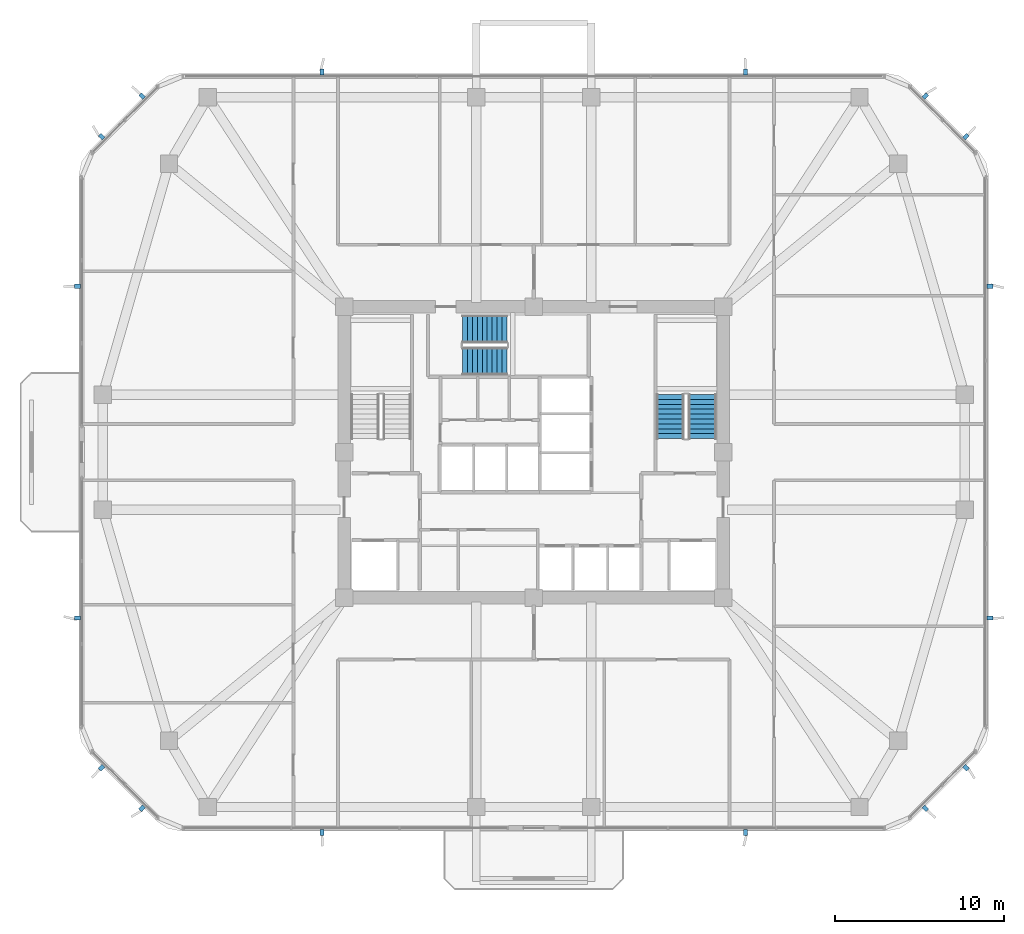
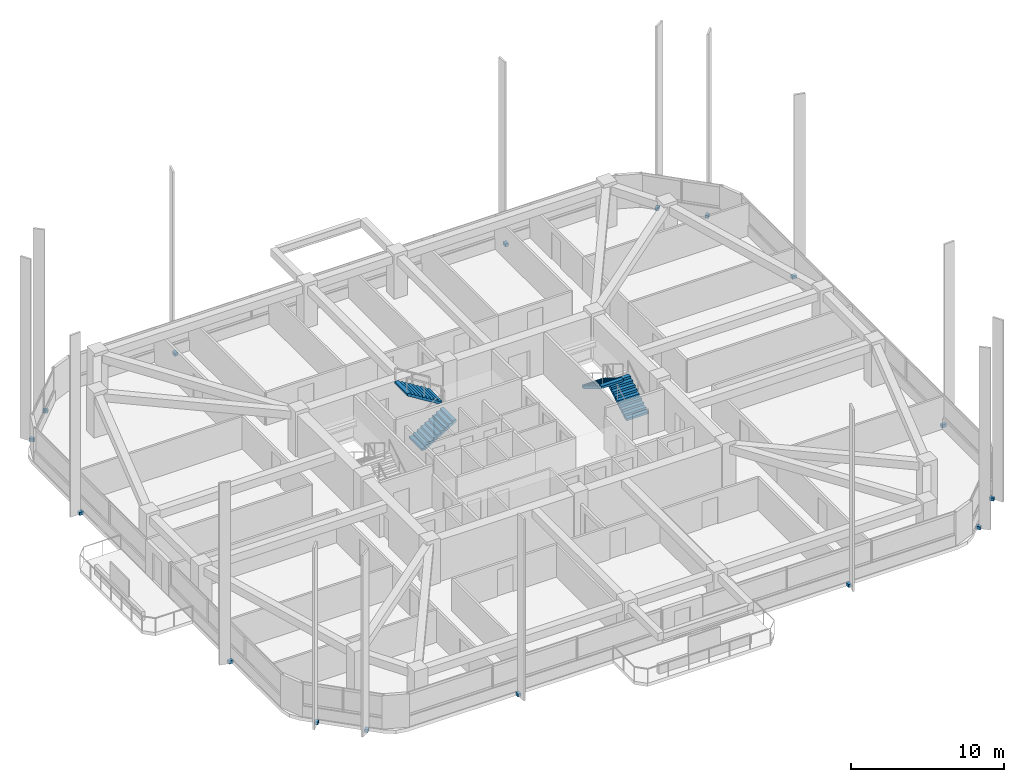
# One storey, part 11 of 15: 16 discrete accessories, 4 stair flights, 2 elements without a shape of their own.
"""IFC4 building model written with IfcOpenShell, lengths in metres."""

from ifc_helpers import new_model, si_unit, derived_unit, direction, frame, origin, origin_2d, place, context, subcontext, project, spatial, polyline, rectangle, outline, extrude, material, type_object, element, aggregate, save


model = new_model("IFC4")

# Units and contexts
model_context = context("Model", 3, precision=1e-05, world=origin(), true_north=direction((0.0, 1.0)))
body_context = subcontext(model_context, "Body", "Model", "MODEL_VIEW")
ifc_project = project(units=[si_unit("LENGTHUNIT", "METRE"), si_unit("AREAUNIT", "SQUARE_METRE"), si_unit("VOLUMEUNIT", "CUBIC_METRE"), si_unit("PLANEANGLEUNIT", "RADIAN"), si_unit("MASSUNIT", "GRAM", prefix="KILO"), derived_unit("THERMALTRANSMITTANCEUNIT", [(si_unit("POWERUNIT", "WATT"), 1), (si_unit("LENGTHUNIT", "METRE"), -2), (si_unit("THERMODYNAMICTEMPERATUREUNIT", "KELVIN"), -1)])], contexts=[model_context])

# Site, building, storey
site_placement = place(None, origin())
site = spatial("IfcSite", under=ifc_project, at=site_placement, CompositionType="ELEMENT")
building_placement = place(site_placement, origin())
building = spatial("IfcBuilding", under=site, at=building_placement, Name="Koralith Skygarden Medical Center", CompositionType="ELEMENT")
storey_placement = place(building_placement, frame((0.0, 0.0, 84.780029296875)))
storey = spatial("IfcBuildingStorey", under=building, at=storey_placement, Name="L21", CompositionType="ELEMENT", Elevation=84.780029296875)

# Stair, stair flights
ifc_material_1 = material(Name="Concrete C45/55", Category="concrete")
stair_type = type_object("IfcStairType", Name="Core Exit Dogleg Concrete Stair", PredefinedType="HALF_TURN_STAIR", material=ifc_material_1)
stair_1_placement = place(storey_placement, origin())
stair_1 = element("IfcStair", 1, at=stair_1_placement, inside=storey, type_object=stair_type, Name="L21 Smokeproof Exit Stair ST2", PredefinedType="HALF_TURN_STAIR")
stair_flight_type = type_object("IfcStairFlightType", Name="Core Exit Concrete Stair Flight 1650", PredefinedType="STRAIGHT", material=ifc_material_1)
stair_flight_1_placement = place(storey_placement, frame((46.97509765625, 26.699951171875, 0.0), z_axis=(0.0, 0.0, 1.0), x_axis=(0.0, 1.0, 0.0)))
stair_flight_1 = element("IfcStairFlight", 2, at=stair_flight_1_placement, type_object=stair_flight_type, Name="ST2 flight 1", NumberOfRisers=10, NumberOfTreads=9, PredefinedType="STRAIGHT", RiserHeight=0.18, TreadLength=0.29, context=body_context, shape_type="SweptSolid", body=[
    extrude(outline(polyline([(0.0, 0.0), (0.0, 0.179931640625), (0.2900390625, 0.179931640625), (0.2900390625, 0.360107421875), (0.580078125, 0.360107421875), (0.580078125, 0.5400390625), (0.8701171875, 0.5400390625), (0.8701171875, 0.719970703125), (1.159912109375, 0.719970703125), (1.159912109375, 0.89990234375), (1.449951171875, 0.89990234375), (1.449951171875, 1.080078125), (1.739990234375, 1.080078125), (1.739990234375, 1.260009765625), (2.030029296875, 1.260009765625), (2.030029296875, 1.43994140625), (2.320068359375, 1.43994140625), (2.320068359375, 1.6201171875), (2.610107421875, 1.6201171875), (2.610107421875, 1.800048828125), (2.610107421875, 1.443603515625), (0.2841796875, 0.0), (0.0, 0.0)])), frame((0.0, 0.824951171875, 0.0), z_axis=(0.0, -1.0, 0.0), x_axis=(1.0, 0.0, 0.0)), (0.0, 0.0, 1.0), 1.64990234375),
])
stair_flight_2_placement = place(storey_placement, frame((45.074951171875, 29.31005859375, 1.800048828125), z_axis=(0.0, 0.0, 1.0), x_axis=(0.0, -1.0, 0.0)))
stair_flight_2 = element("IfcStairFlight", 3, at=stair_flight_2_placement, type_object=stair_flight_type, Name="ST2 flight 2", NumberOfRisers=10, NumberOfTreads=9, PredefinedType="STRAIGHT", RiserHeight=0.18, TreadLength=0.29, context=body_context, shape_type="SweptSolid", body=[
    extrude(outline(polyline([(0.0, 0.0), (0.0, 0.179931640625), (0.2900390625, 0.179931640625), (0.2900390625, 0.360107421875), (0.580078125, 0.360107421875), (0.580078125, 0.5400390625), (0.8701171875, 0.5400390625), (0.8701171875, 0.719970703125), (1.159912109375, 0.719970703125), (1.159912109375, 0.89990234375), (1.449951171875, 0.89990234375), (1.449951171875, 1.080078125), (1.739990234375, 1.080078125), (1.739990234375, 1.260009765625), (2.030029296875, 1.260009765625), (2.030029296875, 1.43994140625), (2.320068359375, 1.43994140625), (2.320068359375, 1.6201171875), (2.610107421875, 1.6201171875), (2.610107421875, 1.800048828125), (2.610107421875, 1.443603515625), (0.2841796875, 0.0), (0.0, 0.0)])), frame((0.0, 0.824951171875, 0.0), z_axis=(0.0, -1.0, 0.0), x_axis=(1.0, 0.0, 0.0)), (0.0, 0.0, 1.0), 1.64990234375),
])
aggregate(stair_1, [stair_flight_1, stair_flight_2])

stair_2_placement = place(storey_placement, origin())
stair_2 = element("IfcStair", 4, at=stair_2_placement, inside=storey, type_object=stair_type, Name="L21 Smokeproof Exit Stair ST3", PredefinedType="HALF_TURN_STAIR")
stair_flight_3_placement = place(storey_placement, frame((32.800048828125, 31.27490234375, 0.0), z_axis=(0.0, 0.0, 1.0), x_axis=(1.0, 0.0, 0.0)))
stair_flight_3 = element("IfcStairFlight", 5, at=stair_flight_3_placement, type_object=stair_flight_type, Name="ST3 flight 1", NumberOfRisers=10, NumberOfTreads=9, PredefinedType="STRAIGHT", RiserHeight=0.18, TreadLength=0.29, context=body_context, shape_type="SweptSolid", body=[
    extrude(outline(polyline([(0.0, 0.0), (0.0, 0.179931640625), (0.2900390625, 0.179931640625), (0.2900390625, 0.360107421875), (0.580078125, 0.360107421875), (0.580078125, 0.5400390625), (0.8701171875, 0.5400390625), (0.8701171875, 0.719970703125), (1.159912109375, 0.719970703125), (1.159912109375, 0.89990234375), (1.449951171875, 0.89990234375), (1.449951171875, 1.080078125), (1.739990234375, 1.080078125), (1.739990234375, 1.260009765625), (2.030029296875, 1.260009765625), (2.030029296875, 1.43994140625), (2.320068359375, 1.43994140625), (2.320068359375, 1.6201171875), (2.610107421875, 1.6201171875), (2.610107421875, 1.800048828125), (2.610107421875, 1.443603515625), (0.2841796875, 0.0), (0.0, 0.0)])), frame((0.0, 0.824951171875, 0.0), z_axis=(0.0, -1.0, 0.0), x_axis=(1.0, 0.0, 0.0)), (0.0, 0.0, 1.0), 1.64990234375),
])
stair_flight_4_placement = place(storey_placement, frame((35.409912109375, 33.175048828125, 1.800048828125), z_axis=(0.0, 0.0, 1.0), x_axis=(-1.0, 0.0, 0.0)))
stair_flight_4 = element("IfcStairFlight", 6, at=stair_flight_4_placement, type_object=stair_flight_type, Name="ST3 flight 2", NumberOfRisers=10, NumberOfTreads=9, PredefinedType="STRAIGHT", RiserHeight=0.18, TreadLength=0.29, context=body_context, shape_type="SweptSolid", body=[
    extrude(outline(polyline([(0.0, 0.0), (0.0, 0.179931640625), (0.2900390625, 0.179931640625), (0.2900390625, 0.360107421875), (0.580078125, 0.360107421875), (0.580078125, 0.5400390625), (0.8701171875, 0.5400390625), (0.8701171875, 0.719970703125), (1.159912109375, 0.719970703125), (1.159912109375, 0.89990234375), (1.449951171875, 0.89990234375), (1.449951171875, 1.080078125), (1.739990234375, 1.080078125), (1.739990234375, 1.260009765625), (2.030029296875, 1.260009765625), (2.030029296875, 1.43994140625), (2.320068359375, 1.43994140625), (2.320068359375, 1.6201171875), (2.610107421875, 1.6201171875), (2.610107421875, 1.800048828125), (2.610107421875, 1.443603515625), (0.2841796875, 0.0), (0.0, 0.0)])), frame((0.0, 0.824951171875, 0.0), z_axis=(0.0, -1.0, 0.0), x_axis=(1.0, 0.0, 0.0)), (0.0, 0.0, 1.0), 1.64990234375),
])
aggregate(stair_2, [stair_flight_3, stair_flight_4])

# Discrete accessories
ifc_material_2 = material(Name="Steel ASTM A572 Grade 50", Category="steel")
discrete_accessory_type = type_object("IfcDiscreteAccessoryType", Name="Facade Fin Structural Anchor Bracket", PredefinedType="BRACKET", material=ifc_material_2)
for number, where, z_axis, x_axis, name in (
    (7, (24.489990234375, 3.419921875, -0.26025390625), (0.0, 0.0, 1.0), (0.0, -1.0, 0.0), "L21 S Solar Fin Anchor Bracket 1"),
    (8, (49.510009765625, 3.419921875, -0.26025390625), (0.0, 0.0, 1.0), (0.0, -1.0, 0.0), "L21 S Solar Fin Anchor Bracket 2"),
    (9, (60.157958984375, 4.843994140625, -0.26025390625), (0.0, 0.0, 1.0), (0.707106781187, -0.707106781187, 0.0), "L21 SE Solar Fin Anchor Bracket 1"),
    (10, (62.555908203125, 7.241943359375, -0.26025390625), (0.0, 0.0, 1.0), (0.707106781187, -0.707106781187, 0.0), "L21 SE Solar Fin Anchor Bracket 2"),
    (11, (63.97998046875, 16.090087890625, -0.26025390625), (0.0, 0.0, 1.0), (1.0, 0.0, 0.0), "L21 E Solar Fin Anchor Bracket 1"),
    (12, (63.97998046875, 35.7099609375, -0.26025390625), (0.0, 0.0, 1.0), (1.0, 0.0, 0.0), "L21 E Solar Fin Anchor Bracket 2"),
    (13, (62.555908203125, 44.55810546875, -0.26025390625), (0.0, 0.0, 1.0), (0.707106781187, 0.707106781187, 0.0), "L21 NE Solar Fin Anchor Bracket 1"),
    (14, (60.157958984375, 46.9560546875, -0.26025390625), (0.0, 0.0, 1.0), (0.707106781187, 0.707106781187, 0.0), "L21 NE Solar Fin Anchor Bracket 2"),
    (15, (49.510009765625, 48.3798828125, -0.26025390625), (0.0, 0.0, 1.0), (0.0, 1.0, 0.0), "L21 N Solar Fin Anchor Bracket 1"),
    (16, (24.489990234375, 48.3798828125, -0.26025390625), (0.0, 0.0, 1.0), (0.0, 1.0, 0.0), "L21 N Solar Fin Anchor Bracket 2"),
    (17, (13.842041015625, 46.9560546875, -0.26025390625), (0.0, 0.0, 1.0), (-0.707106781187, 0.707106781187, 0.0), "L21 NW Solar Fin Anchor Bracket 1"),
    (18, (11.444091796875, 44.55810546875, -0.26025390625), (0.0, 0.0, 1.0), (-0.707106781187, 0.707106781187, 0.0), "L21 NW Solar Fin Anchor Bracket 2"),
    (19, (10.02001953125, 35.7099609375, -0.26025390625), (0.0, 0.0, 1.0), (-1.0, 0.0, 0.0), "L21 W Solar Fin Anchor Bracket 1"),
    (20, (10.02001953125, 16.090087890625, -0.26025390625), (0.0, 0.0, 1.0), (-1.0, 0.0, 0.0), "L21 W Solar Fin Anchor Bracket 2"),
    (21, (11.444091796875, 7.241943359375, -0.26025390625), (0.0, 0.0, 1.0), (-0.707106781187, -0.707106781187, 0.0), "L21 SW Solar Fin Anchor Bracket 1"),
    (22, (13.842041015625, 4.843994140625, -0.26025390625), (0.0, 0.0, 1.0), (-0.707106781187, -0.707106781187, 0.0), "L21 SW Solar Fin Anchor Bracket 2"),
):
    element("IfcDiscreteAccessory", number, at=place(storey_placement, frame(where, z_axis=z_axis, x_axis=x_axis)), inside=storey, type_object=discrete_accessory_type, Name=name, PredefinedType="BRACKET", context=body_context, shape_type="SweptSolid", body=[
        extrude(rectangle(XDim=0.340087890625, YDim=0.239990234375, at=origin_2d()), origin(), (0.0, 0.0, 1.0), 0.239990234375),
    ])

save(model, "model.ifc")
